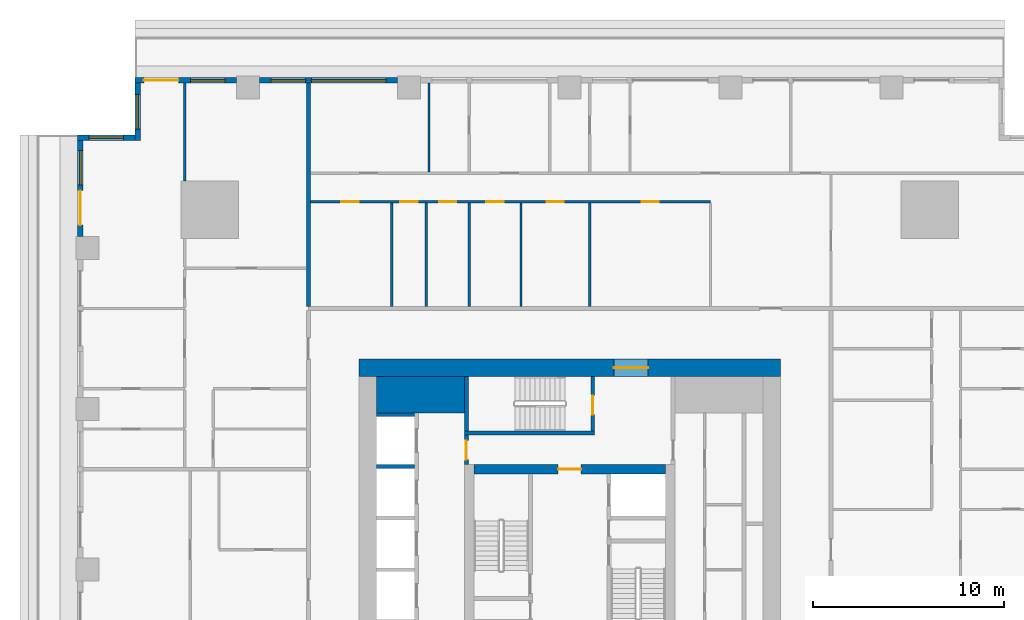
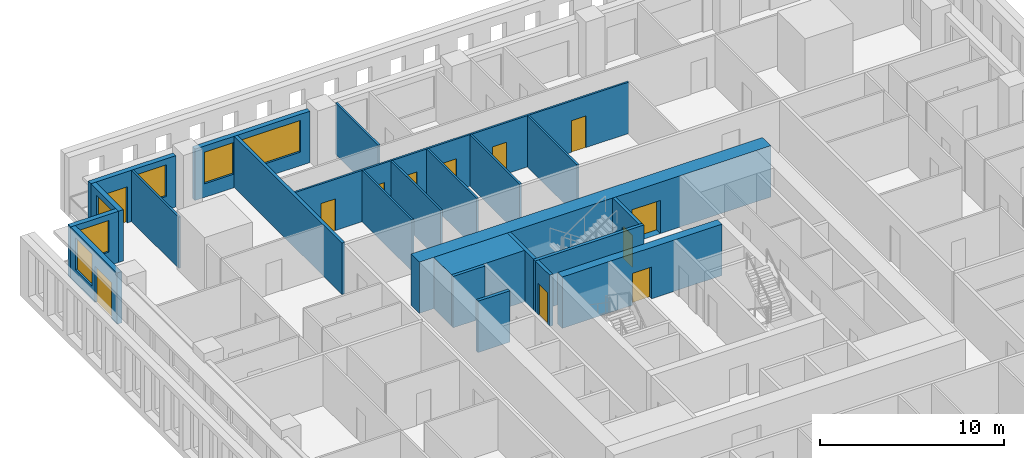
# One storey, part 7 of 14: 23 walls, 12 doors, 6 windows, 18 openings.
"""IFC4 building model written with IfcOpenShell, lengths in metres."""

from ifc_helpers import new_model, si_unit, direction, frame, frame_2d, origin, place, context, subcontext, project, spatial, rectangle, extrude, material, layer, layer_set, type_object, element, fill, save


model = new_model("IFC4")

# Units and contexts
model_context = context("Model", 3, precision=1e-05, world=origin(), true_north=direction((0.0, 1.0)))
body_context = subcontext(model_context, "Body", "Model", "MODEL_VIEW")
ifc_project = project(units=[si_unit("LENGTHUNIT", "METRE"), si_unit("AREAUNIT", "SQUARE_METRE"), si_unit("VOLUMEUNIT", "CUBIC_METRE"), si_unit("PLANEANGLEUNIT", "RADIAN"), si_unit("MASSUNIT", "GRAM", prefix="KILO")], contexts=[model_context])

# Site, building, storey
site_placement = place(None, origin())
site = spatial("IfcSite", under=ifc_project, at=site_placement, CompositionType="ELEMENT")
building_placement = place(site_placement, origin())
building = spatial("IfcBuilding", under=site, at=building_placement, Name="Khepri Terraces", CompositionType="ELEMENT")
storey_placement = place(building_placement, frame((0.0, 0.0, 69.89990234375)))
storey = spatial("IfcBuildingStorey", under=building, at=storey_placement, Name="L16", CompositionType="ELEMENT", Elevation=69.89990234375)

# Walls
ifc_material_1 = material(Name="Concrete C80/95", Category="concrete")
ifc_layer_1 = layer(ifc_material_1, 1.89990234375, Name="Concrete C80/95", Category="concrete")
ifc_layer_set_1 = layer_set([ifc_layer_1], Name="Concrete C80/95")
wall_type_1 = type_object("IfcWallType", Name="Core wall 1900 C80/95", PredefinedType="SHEAR", material=ifc_layer_set_1)
wall_1_placement = place(storey_placement, frame((-10.10009765625, 9.14990234375, 0.0), z_axis=(0.0, 0.0, 1.0), x_axis=(1.0, 0.0, 0.0)))
element("IfcWall", 1, at=wall_1_placement, inside=storey, type_object=wall_type_1, Name="Core wall PR03 L16", PredefinedType="SHEAR", context=body_context, shape_type="SweptSolid", body=[
    extrude(rectangle(XDim=4.60009765625, YDim=1.89990234375, at=frame_2d((2.300048828125, 0.0))), origin(), (0.0, 0.0, 1.0), 3.400146484375),
])
ifc_layer_2 = layer(ifc_material_1, 0.199951171875, Name="Concrete C80/95", Category="concrete")
ifc_layer_set_2 = layer_set([ifc_layer_2], Name="Concrete C80/95")
wall_type_2 = type_object("IfcWallType", Name="Core wall 200 C80/95", PredefinedType="SHEAR", material=ifc_layer_set_2)
wall_2_placement = place(storey_placement, frame((-5.5, 7.14990234375, 0.0), z_axis=(0.0, 0.0, 1.0), x_axis=(1.0, 0.0, 0.0)))
element("IfcWall", 2, at=wall_2_placement, inside=storey, type_object=wall_type_2, Name="Core wall ST05 L16", PredefinedType="SHEAR", context=body_context, shape_type="SweptSolid", body=[
    extrude(rectangle(XDim=6.800048828125, YDim=0.199951171875, at=frame_2d((3.39990234375, 0.0))), origin(), (0.0, 0.0, 1.0), 3.400146484375),
])
wall_3_placement = place(storey_placement, frame((-5.39990234375, 7.25, 0.0), z_axis=(0.0, 0.0, 1.0), x_axis=(0.0, 1.0, 0.0)))
element("IfcWall", 3, at=wall_3_placement, inside=storey, type_object=wall_type_2, Name="Core wall ST06 L16", PredefinedType="SHEAR", context=body_context, shape_type="SweptSolid", body=[
    extrude(rectangle(XDim=2.85009765625, YDim=0.199951171875, at=frame_2d((1.425048828125, 0.0))), origin(), (0.0, 0.0, 1.0), 3.400146484375),
])

# Wall, opening, door
wall_4_placement = place(storey_placement, frame((1.199951171875, 7.25, 0.0), z_axis=(0.0, 0.0, 1.0), x_axis=(0.0, 1.0, 0.0)))
wall_4 = element("IfcWall", 4, at=wall_4_placement, inside=storey, type_object=wall_type_2, Name="Core wall ST07 L16", PredefinedType="SHEAR", context=body_context, shape_type="SweptSolid", body=[
    extrude(rectangle(XDim=2.85009765625, YDim=0.199951171875, at=frame_2d((1.425048828125, 0.0))), origin(), (0.0, 0.0, 1.0), 3.400146484375),
])
opening_1_placement = place(wall_4_placement, frame((0.85009765625, 0.0, 0.0)))
opening_1 = element("IfcOpeningElement", 5, at=opening_1_placement, cuts=wall_4, Name="Opening L16-C15", PredefinedType="OPENING", context=body_context, shape_type="SweptSolid", body=[
    extrude(rectangle(XDim=1.0, YDim=2.10009765625, at=frame_2d((0.5, 1.050048828125))), frame((0.0, 0.10986328125, 0.0), z_axis=(0.0, -1.0, 0.0), x_axis=(1.0, 0.0, 0.0)), (0.0, 0.0, 1.0), 0.219970703125),
])
ifc_material_2 = material(Name="Painted steel", Category="steel")
door_type_1 = type_object("IfcDoorType", Name="DR-CORE-STAIR-1000", OperationType="NOTDEFINED", PredefinedType="DOOR", material=ifc_material_2)
door_1_placement = place(opening_1_placement, origin())
door_1 = element("IfcDoor", 6, at=door_1_placement, inside=storey, type_object=door_type_1, Name="Stair door L16-C15", OperationType="SINGLE_SWING_LEFT", OverallHeight=2.10009765625, OverallWidth=1.0, PredefinedType="DOOR", context=body_context, shape_type="SweptSolid", body=[
    extrude(rectangle(XDim=1.0, YDim=2.10009765625, at=frame_2d((0.5, 1.050048828125))), frame((0.0, 0.02490234375, 0.0), z_axis=(0.0, -1.0, 0.0), x_axis=(1.0, 0.0, 0.0)), (0.0, 0.0, 1.0), 0.050048828125),
])
fill(opening_1, door_1)

# Walls
for number, where, z_axis, x_axis, name in (
    (7, (-10.10009765625, 5.39990234375, 0.0), (0.0, 0.0, 1.0), (1.0, 0.0, 0.0), "Core wall SH19 L16"),
    (8, (-10.10009765625, 8.10009765625, 0.0), (0.0, 0.0, 1.0), (1.0, 0.0, 0.0), "Core wall SH20 L16"),
):
    element("IfcWall", number, at=place(storey_placement, frame(where, z_axis=z_axis, x_axis=x_axis)), inside=storey, type_object=wall_type_2, Name=name, PredefinedType="SHEAR", context=body_context, shape_type="SweptSolid", body=[
        extrude(rectangle(XDim=2.0, YDim=0.199951171875, at=frame_2d((1.0, 0.0))), origin(), (0.0, 0.0, 1.0), 3.400146484375),
    ])

# Wall, opening, door
ifc_layer_3 = layer(ifc_material_1, 0.5, Name="Concrete C80/95", Category="concrete")
ifc_layer_set_3 = layer_set([ifc_layer_3], Name="Concrete C80/95")
wall_type_3 = type_object("IfcWallType", Name="Core wall 500 C80/95", PredefinedType="SHEAR", material=ifc_layer_set_3)
wall_5_placement = place(storey_placement, frame((-5.0, 5.25, 0.0), z_axis=(0.0, 0.0, 1.0), x_axis=(1.0, 0.0, 0.0)))
wall_5 = element("IfcWall", 9, at=wall_5_placement, inside=storey, type_object=wall_type_3, Name="Core wall BX04 L16", PredefinedType="SHEAR", context=body_context, shape_type="SweptSolid", body=[
    extrude(rectangle(XDim=10.0, YDim=0.5, at=frame_2d((5.0, 0.0))), origin(), (0.0, 0.0, 1.0), 3.400146484375),
])
opening_2_placement = place(wall_5_placement, frame((4.39990234375, 0.0, 0.0)))
opening_2 = element("IfcOpeningElement", 10, at=opening_2_placement, cuts=wall_5, Name="Opening L16-C13", PredefinedType="OPENING", context=body_context, shape_type="SweptSolid", body=[
    extrude(rectangle(XDim=1.199951171875, YDim=2.10009765625, at=frame_2d((0.60009765625, 1.050048828125))), frame((0.0, 0.260009765625, 0.0), z_axis=(0.0, -1.0, 0.0), x_axis=(1.0, 0.0, 0.0)), (0.0, 0.0, 1.0), 0.52001953125),
])
door_type_2 = type_object("IfcDoorType", Name="DR-CORE-FF-LOBBY-1200", OperationType="NOTDEFINED", PredefinedType="DOOR", material=ifc_material_2)
door_2_placement = place(opening_2_placement, frame((1.199951171875, 0.0, 0.0), z_axis=(0.0, 0.0, 1.0), x_axis=(-1.0, 0.0, 0.0)))
door_2 = element("IfcDoor", 11, at=door_2_placement, inside=storey, type_object=door_type_2, Name="Firefighting lobby door L16-C13", OperationType="SINGLE_SWING_LEFT", OverallHeight=2.10009765625, OverallWidth=1.199951171875, PredefinedType="DOOR", context=body_context, shape_type="SweptSolid", body=[
    extrude(rectangle(XDim=1.199951171875, YDim=2.10009765625, at=frame_2d((0.60009765625, 1.050048828125))), frame((0.0, 0.02490234375, 0.0), z_axis=(0.0, -1.0, 0.0), x_axis=(1.0, 0.0, 0.0)), (0.0, 0.0, 1.0), 0.050048828125),
])
fill(opening_2, door_2)

ifc_layer_4 = layer(ifc_material_1, 0.89990234375, Name="Concrete C80/95", Category="concrete")
ifc_layer_set_4 = layer_set([ifc_layer_4], Name="Concrete C80/95")
wall_type_4 = type_object("IfcWallType", Name="Core wall 900 C80/95", PredefinedType="SHEAR", material=ifc_layer_set_4)
wall_6_placement = place(storey_placement, frame((-11.0, 10.550048828125, 0.0), z_axis=(0.0, 0.0, 1.0), x_axis=(1.0, 0.0, 0.0)))
wall_6 = element("IfcWall", 12, at=wall_6_placement, inside=storey, type_object=wall_type_4, Name="Core wall OW-N L16", PredefinedType="SHEAR", context=body_context, shape_type="SweptSolid", body=[
    extrude(rectangle(XDim=22.0, YDim=0.89990234375, at=frame_2d((11.0, 0.0))), origin(), (0.0, 0.0, 1.0), 3.400146484375),
])
opening_3_placement = place(wall_6_placement, frame((13.300048828125, 0.0, 0.0)))
opening_3 = element("IfcOpeningElement", 13, at=opening_3_placement, cuts=wall_6, Name="Opening L16-C20", PredefinedType="OPENING", context=body_context, shape_type="SweptSolid", body=[
    extrude(rectangle(XDim=1.800048828125, YDim=2.199951171875, at=frame_2d((0.89990234375, 1.10009765625))), frame((0.0, 0.4599609375, 0.0), z_axis=(0.0, -1.0, 0.0), x_axis=(1.0, 0.0, 0.0)), (0.0, 0.0, 1.0), 0.919921875),
])
door_type_3 = type_object("IfcDoorType", Name="DR-CORE-ENTRANCE-1800", OperationType="NOTDEFINED", PredefinedType="DOOR", material=ifc_material_2)
door_3_placement = place(opening_3_placement, origin())
door_3 = element("IfcDoor", 14, at=door_3_placement, inside=storey, type_object=door_type_3, Name="Core entrance door pair L16-C20", OperationType="DOUBLE_DOOR_SINGLE_SWING", OverallHeight=2.199951171875, OverallWidth=1.800048828125, PredefinedType="DOOR", context=body_context, shape_type="SweptSolid", body=[
    extrude(rectangle(XDim=1.800048828125, YDim=2.199951171875, at=frame_2d((0.89990234375, 1.10009765625))), frame((0.0, 0.02490234375, 0.0), z_axis=(0.0, -1.0, 0.0), x_axis=(1.0, 0.0, 0.0)), (0.0, 0.0, 1.0), 0.050048828125),
])
fill(opening_3, door_3)

ifc_material_3 = material(Name="Fire-rated gypsum board partition")
ifc_layer_5 = layer(ifc_material_3, 0.199951171875, Name="Fire-rated gypsum board partition")
ifc_layer_set_5 = layer_set([ifc_layer_5], Name="Fire-rated gypsum board partition")
wall_type_5 = type_object("IfcWallType", Name="WL-CORE-PART-200", PredefinedType="PARTITIONING", material=ifc_layer_set_5)
wall_7_placement = place(storey_placement, frame((-5.39990234375, 5.5, 0.0), z_axis=(0.0, 0.0, 1.0), x_axis=(0.0, 1.0, 0.0)))
wall_7 = element("IfcWall", 15, at=wall_7_placement, inside=storey, type_object=wall_type_5, Name="Core partition PT07 L16", PredefinedType="PARTITIONING", context=body_context, shape_type="SweptSolid", body=[
    extrude(rectangle(XDim=1.550048828125, YDim=0.199951171875, at=frame_2d((0.77490234375, 0.0))), origin(), (0.0, 0.0, 1.0), 3.400146484375),
])
opening_4_placement = place(wall_7_placement, frame((0.25, 0.0, 0.0)))
opening_4 = element("IfcOpeningElement", 16, at=opening_4_placement, cuts=wall_7, Name="Opening L16-C16", PredefinedType="OPENING", context=body_context, shape_type="SweptSolid", body=[
    extrude(rectangle(XDim=1.0, YDim=2.10009765625, at=frame_2d((0.5, 1.050048828125))), frame((0.0, 0.10986328125, 0.0), z_axis=(0.0, -1.0, 0.0), x_axis=(1.0, 0.0, 0.0)), (0.0, 0.0, 1.0), 0.219970703125),
])
door_type_4 = type_object("IfcDoorType", Name="DR-CORE-LOBBY-1000", OperationType="NOTDEFINED", PredefinedType="DOOR", material=ifc_material_2)
door_4_placement = place(opening_4_placement, frame((1.0, 0.0, 0.0), z_axis=(0.0, 0.0, 1.0), x_axis=(-1.0, 0.0, 0.0)))
door_4 = element("IfcDoor", 17, at=door_4_placement, inside=storey, type_object=door_type_4, Name="Lobby door L16-C16", OperationType="SINGLE_SWING_RIGHT", OverallHeight=2.10009765625, OverallWidth=1.0, PredefinedType="DOOR", context=body_context, shape_type="SweptSolid", body=[
    extrude(rectangle(XDim=1.0, YDim=2.10009765625, at=frame_2d((0.5, 1.050048828125))), frame((0.0, 0.02490234375, 0.0), z_axis=(0.0, -1.0, 0.0), x_axis=(1.0, 0.0, 0.0)), (0.0, 0.0, 1.0), 0.050048828125),
])
fill(opening_4, door_4)

# Wall
ifc_material_4 = material(Name="Fire-rated gypsum plasterboard partition, mineral wool")
ifc_layer_6 = layer(ifc_material_4, 0.199951171875, Name="Fire-rated gypsum plasterboard partition, mineral wool")
ifc_layer_set_6 = layer_set([ifc_layer_6], Name="Fire-rated gypsum plasterboard partition, mineral wool")
wall_type_6 = type_object("IfcWallType", Name="WL-CORR-200", PredefinedType="PARTITIONING", material=ifc_layer_set_6)
wall_8_placement = place(storey_placement, frame((-13.64990234375, 13.75, 0.0), z_axis=(0.0, 0.0, 1.0), x_axis=(0.0, 1.0, 0.0)))
element("IfcWall", 18, at=wall_8_placement, inside=storey, type_object=wall_type_6, Name="Partition P-081 L16", PredefinedType="PARTITIONING", context=body_context, shape_type="SweptSolid", body=[
    extrude(rectangle(XDim=11.669921875, YDim=0.199951171875, at=frame_2d((5.8349609375, 0.0))), origin(), (0.0, 0.0, 1.0), 3.400146484375),
])

# Wall, openings, windows
ifc_material_5 = material(Name="Precast concrete C50/60 warm stone", Category="masonry")
ifc_layer_7 = layer(ifc_material_5, 0.300048828125, Name="Precast concrete C50/60 warm stone", Category="masonry")
ifc_layer_set_7 = layer_set([ifc_layer_7], Name="Precast concrete C50/60 warm stone")
wall_type_7 = type_object("IfcWallType", Name="WL-EXT-PRECAST-300", PredefinedType="STANDARD", material=ifc_layer_set_7)
wall_9_placement = place(storey_placement, frame((-9.0, 25.570068359375, 0.0), z_axis=(0.0, 0.0, 1.0), x_axis=(-1.0, 0.0, 0.0)))
wall_9 = element("IfcWall", 19, at=wall_9_placement, inside=storey, type_object=wall_type_7, Name="External wall L16 N", PredefinedType="STANDARD", context=body_context, shape_type="SweptSolid", body=[
    extrude(rectangle(XDim=7.199951171875, YDim=0.300048828125, at=frame_2d((3.60009765625, 0.0))), origin(), (0.0, 0.0, 1.0), 3.400146484375),
])
opening_5_placement = place(wall_9_placement, frame((0.60009765625, 0.0, 0.89990234375)))
opening_5 = element("IfcOpeningElement", 20, at=opening_5_placement, cuts=wall_9, Name="Opening W2", PredefinedType="OPENING", context=body_context, shape_type="SweptSolid", body=[
    extrude(rectangle(XDim=3.89990234375, YDim=2.10009765625, at=frame_2d((1.949951171875, 1.050048828125))), frame((0.0, 0.16015625, 0.0), z_axis=(0.0, -1.0, 0.0), x_axis=(1.0, 0.0, 0.0)), (0.0, 0.0, 1.0), 0.320068359375),
])
opening_6_placement = place(wall_9_placement, frame((4.800048828125, 0.0, 0.89990234375)))
opening_6 = element("IfcOpeningElement", 21, at=opening_6_placement, cuts=wall_9, Name="Opening W1", PredefinedType="OPENING", context=body_context, shape_type="SweptSolid", body=[
    extrude(rectangle(XDim=1.800048828125, YDim=2.10009765625, at=frame_2d((0.89990234375, 1.050048828125))), frame((0.0, 0.16015625, 0.0), z_axis=(0.0, -1.0, 0.0), x_axis=(1.0, 0.0, 0.0)), (0.0, 0.0, 1.0), 0.320068359375),
])
ifc_material_6 = material(Name="Clear glass", Category="glass")
window_type_1 = type_object("IfcWindowType", Name="WIN-RES-1800x2100", PartitioningType="SINGLE_PANEL", PredefinedType="WINDOW", material=ifc_material_6)
window_1_placement = place(opening_6_placement, origin())
window_1 = element("IfcWindow", 22, at=window_1_placement, inside=storey, type_object=window_type_1, Name="Window L16 N", OverallHeight=2.10009765625, OverallWidth=1.800048828125, PartitioningType="SINGLE_PANEL", PredefinedType="WINDOW", context=body_context, shape_type="SweptSolid", body=[
    extrude(rectangle(XDim=1.800048828125, YDim=2.10009765625, at=frame_2d((0.89990234375, 1.050048828125))), frame((0.0, 0.030029296875, 0.0), z_axis=(0.0, -1.0, 0.0), x_axis=(1.0, 0.0, 0.0)), (0.0, 0.0, 1.0), 0.06005859375),
])
fill(opening_6, window_1)
window_type_2 = type_object("IfcWindowType", Name="WIN-RES-3900x2100", PartitioningType="SINGLE_PANEL", PredefinedType="WINDOW", material=ifc_material_6)
window_2_placement = place(opening_5_placement, origin())
window_2 = element("IfcWindow", 23, at=window_2_placement, inside=storey, type_object=window_type_2, Name="Window L16 N", OverallHeight=2.10009765625, OverallWidth=3.89990234375, PartitioningType="SINGLE_PANEL", PredefinedType="WINDOW", context=body_context, shape_type="SweptSolid", body=[
    extrude(rectangle(XDim=3.89990234375, YDim=2.10009765625, at=frame_2d((1.949951171875, 1.050048828125))), frame((0.0, 0.030029296875, 0.0), z_axis=(0.0, -1.0, 0.0), x_axis=(1.0, 0.0, 0.0)), (0.0, 0.0, 1.0), 0.06005859375),
])
fill(opening_5, window_2)

# Wall, openings, door, window
wall_10_placement = place(storey_placement, frame((-17.39990234375, 25.570068359375, 0.0), z_axis=(0.0, 0.0, 1.0), x_axis=(-1.0, 0.0, 0.0)))
wall_10 = element("IfcWall", 24, at=wall_10_placement, inside=storey, type_object=wall_type_7, Name="External wall L16 N", PredefinedType="STANDARD", context=body_context, shape_type="SweptSolid", body=[
    extrude(rectangle(XDim=5.320068359375, YDim=0.300048828125, at=frame_2d((2.66015625, 0.0))), origin(), (0.0, 0.0, 1.0), 3.400146484375),
])
opening_7_placement = place(wall_10_placement, frame((0.60009765625, 0.0, 0.89990234375)))
opening_7 = element("IfcOpeningElement", 25, at=opening_7_placement, cuts=wall_10, Name="Opening W1", PredefinedType="OPENING", context=body_context, shape_type="SweptSolid", body=[
    extrude(rectangle(XDim=1.800048828125, YDim=2.10009765625, at=frame_2d((0.89990234375, 1.050048828125))), frame((0.0, 0.16015625, 0.0), z_axis=(0.0, -1.0, 0.0), x_axis=(1.0, 0.0, 0.0)), (0.0, 0.0, 1.0), 0.320068359375),
])
opening_8_placement = place(wall_10_placement, frame((3.044921875, 0.0, 0.0)))
opening_8 = element("IfcOpeningElement", 26, at=opening_8_placement, cuts=wall_10, Name="Opening ED-L16-11", PredefinedType="OPENING", context=body_context, shape_type="SweptSolid", body=[
    extrude(rectangle(XDim=1.800048828125, YDim=2.39990234375, at=frame_2d((0.89990234375, 1.199951171875))), frame((0.0, 0.16015625, 0.0), z_axis=(0.0, -1.0, 0.0), x_axis=(1.0, 0.0, 0.0)), (0.0, 0.0, 1.0), 0.320068359375),
])
ifc_material_7 = material(Name="Anodised aluminium bronze glazed door", Category="aluminium")
door_type_5 = type_object("IfcDoorType", Name="DR-BAL-SLIDE-1800x2400", OperationType="NOTDEFINED", PredefinedType="DOOR", material=ifc_material_7)
door_5_placement = place(opening_8_placement, origin())
door_5 = element("IfcDoor", 27, at=door_5_placement, inside=storey, type_object=door_type_5, Name="Balcony door L16 N", OperationType="SLIDING_TO_RIGHT", OverallHeight=2.39990234375, OverallWidth=1.800048828125, PredefinedType="DOOR", context=body_context, shape_type="SweptSolid", body=[
    extrude(rectangle(XDim=1.800048828125, YDim=2.39990234375, at=frame_2d((0.89990234375, 1.199951171875))), frame((0.0, 0.02490234375, 0.0), z_axis=(0.0, -1.0, 0.0), x_axis=(1.0, 0.0, 0.0)), (0.0, 0.0, 1.0), 0.050048828125),
])
fill(opening_8, door_5)
window_3_placement = place(opening_7_placement, origin())
window_3 = element("IfcWindow", 28, at=window_3_placement, inside=storey, type_object=window_type_1, Name="Window L16 N", OverallHeight=2.10009765625, OverallWidth=1.800048828125, PartitioningType="SINGLE_PANEL", PredefinedType="WINDOW", context=body_context, shape_type="SweptSolid", body=[
    extrude(rectangle(XDim=1.800048828125, YDim=2.10009765625, at=frame_2d((0.89990234375, 1.050048828125))), frame((0.0, 0.030029296875, 0.0), z_axis=(0.0, -1.0, 0.0), x_axis=(1.0, 0.0, 0.0)), (0.0, 0.0, 1.0), 0.06005859375),
])
fill(opening_7, window_3)

# Wall, opening, window
wall_11_placement = place(storey_placement, frame((-22.570068359375, 25.419921875, 0.0), z_axis=(0.0, 0.0, 1.0), x_axis=(0.0, -1.0, 0.0)))
wall_11 = element("IfcWall", 29, at=wall_11_placement, inside=storey, type_object=wall_type_7, Name="External wall L16 W", PredefinedType="STANDARD", context=body_context, shape_type="SweptSolid", body=[
    extrude(rectangle(XDim=3.0, YDim=0.300048828125, at=frame_2d((1.5, 0.0))), origin(), (0.0, 0.0, 1.0), 3.400146484375),
])
opening_9_placement = place(wall_11_placement, frame((0.60009765625, 0.0, 0.89990234375)))
opening_9 = element("IfcOpeningElement", 30, at=opening_9_placement, cuts=wall_11, Name="Opening W1", PredefinedType="OPENING", context=body_context, shape_type="SweptSolid", body=[
    extrude(rectangle(XDim=1.800048828125, YDim=2.10009765625, at=frame_2d((0.89990234375, 1.050048828125))), frame((0.0, 0.16015625, 0.0), z_axis=(0.0, -1.0, 0.0), x_axis=(1.0, 0.0, 0.0)), (0.0, 0.0, 1.0), 0.320068359375),
])
window_4_placement = place(opening_9_placement, origin())
window_4 = element("IfcWindow", 31, at=window_4_placement, inside=storey, type_object=window_type_1, Name="Window L16 W", OverallHeight=2.10009765625, OverallWidth=1.800048828125, PartitioningType="SINGLE_PANEL", PredefinedType="WINDOW", context=body_context, shape_type="SweptSolid", body=[
    extrude(rectangle(XDim=1.800048828125, YDim=2.10009765625, at=frame_2d((0.89990234375, 1.050048828125))), frame((0.0, 0.030029296875, 0.0), z_axis=(0.0, -1.0, 0.0), x_axis=(1.0, 0.0, 0.0)), (0.0, 0.0, 1.0), 0.06005859375),
])
fill(opening_9, window_4)

wall_12_placement = place(storey_placement, frame((-22.719970703125, 22.570068359375, 0.0), z_axis=(0.0, 0.0, 1.0), x_axis=(-1.0, 0.0, 0.0)))
wall_12 = element("IfcWall", 32, at=wall_12_placement, inside=storey, type_object=wall_type_7, Name="External wall L16 N", PredefinedType="STANDARD", context=body_context, shape_type="SweptSolid", body=[
    extrude(rectangle(XDim=3.0, YDim=0.300048828125, at=frame_2d((1.5, 0.0))), origin(), (0.0, 0.0, 1.0), 3.400146484375),
])
opening_10_placement = place(wall_12_placement, frame((0.60009765625, 0.0, 0.89990234375)))
opening_10 = element("IfcOpeningElement", 33, at=opening_10_placement, cuts=wall_12, Name="Opening W1", PredefinedType="OPENING", context=body_context, shape_type="SweptSolid", body=[
    extrude(rectangle(XDim=1.800048828125, YDim=2.10009765625, at=frame_2d((0.89990234375, 1.050048828125))), frame((0.0, 0.16015625, 0.0), z_axis=(0.0, -1.0, 0.0), x_axis=(1.0, 0.0, 0.0)), (0.0, 0.0, 1.0), 0.320068359375),
])
window_5_placement = place(opening_10_placement, origin())
window_5 = element("IfcWindow", 34, at=window_5_placement, inside=storey, type_object=window_type_1, Name="Window L16 N", OverallHeight=2.10009765625, OverallWidth=1.800048828125, PartitioningType="SINGLE_PANEL", PredefinedType="WINDOW", context=body_context, shape_type="SweptSolid", body=[
    extrude(rectangle(XDim=1.800048828125, YDim=2.10009765625, at=frame_2d((0.89990234375, 1.050048828125))), frame((0.0, 0.030029296875, 0.0), z_axis=(0.0, -1.0, 0.0), x_axis=(1.0, 0.0, 0.0)), (0.0, 0.0, 1.0), 0.06005859375),
])
fill(opening_10, window_5)

# Wall, openings, door, window
wall_13_placement = place(storey_placement, frame((-25.570068359375, 22.419921875, 0.0), z_axis=(0.0, 0.0, 1.0), x_axis=(0.0, -1.0, 0.0)))
wall_13 = element("IfcWall", 35, at=wall_13_placement, inside=storey, type_object=wall_type_7, Name="External wall L16 W", PredefinedType="STANDARD", context=body_context, shape_type="SweptSolid", body=[
    extrude(rectangle(XDim=5.02001953125, YDim=0.300048828125, at=frame_2d((2.510009765625, 0.0))), origin(), (0.0, 0.0, 1.0), 3.400146484375),
])
opening_11_placement = place(wall_13_placement, frame((0.52001953125, 0.0, 0.89990234375)))
opening_11 = element("IfcOpeningElement", 36, at=opening_11_placement, cuts=wall_13, Name="Opening W1", PredefinedType="OPENING", context=body_context, shape_type="SweptSolid", body=[
    extrude(rectangle(XDim=1.800048828125, YDim=2.10009765625, at=frame_2d((0.89990234375, 1.050048828125))), frame((0.0, 0.16015625, 0.0), z_axis=(0.0, -1.0, 0.0), x_axis=(1.0, 0.0, 0.0)), (0.0, 0.0, 1.0), 0.320068359375),
])
opening_12_placement = place(wall_13_placement, frame((2.6201171875, 0.0, 0.0)))
opening_12 = element("IfcOpeningElement", 37, at=opening_12_placement, cuts=wall_13, Name="Opening ED-L16-12", PredefinedType="OPENING", context=body_context, shape_type="SweptSolid", body=[
    extrude(rectangle(XDim=1.800048828125, YDim=2.39990234375, at=frame_2d((0.89990234375, 1.199951171875))), frame((0.0, 0.16015625, 0.0), z_axis=(0.0, -1.0, 0.0), x_axis=(1.0, 0.0, 0.0)), (0.0, 0.0, 1.0), 0.320068359375),
])
door_6_placement = place(opening_12_placement, origin())
door_6 = element("IfcDoor", 38, at=door_6_placement, inside=storey, type_object=door_type_5, Name="Balcony door L16 W", OperationType="SLIDING_TO_RIGHT", OverallHeight=2.39990234375, OverallWidth=1.800048828125, PredefinedType="DOOR", context=body_context, shape_type="SweptSolid", body=[
    extrude(rectangle(XDim=1.800048828125, YDim=2.39990234375, at=frame_2d((0.89990234375, 1.199951171875))), frame((0.0, 0.02490234375, 0.0), z_axis=(0.0, -1.0, 0.0), x_axis=(1.0, 0.0, 0.0)), (0.0, 0.0, 1.0), 0.050048828125),
])
fill(opening_12, door_6)
window_6_placement = place(opening_11_placement, origin())
window_6 = element("IfcWindow", 39, at=window_6_placement, inside=storey, type_object=window_type_1, Name="Window L16 W", OverallHeight=2.10009765625, OverallWidth=1.800048828125, PartitioningType="SINGLE_PANEL", PredefinedType="WINDOW", context=body_context, shape_type="SweptSolid", body=[
    extrude(rectangle(XDim=1.800048828125, YDim=2.10009765625, at=frame_2d((0.89990234375, 1.050048828125))), frame((0.0, 0.030029296875, 0.0), z_axis=(0.0, -1.0, 0.0), x_axis=(1.0, 0.0, 0.0)), (0.0, 0.0, 1.0), 0.06005859375),
])
fill(opening_11, window_6)

# Walls
ifc_material_8 = material(Name="Gypsum plasterboard partition")
ifc_layer_8 = layer(ifc_material_8, 0.1201171875, Name="Gypsum plasterboard partition")
ifc_layer_set_8 = layer_set([ifc_layer_8], Name="Gypsum plasterboard partition")
wall_type_8 = type_object("IfcWallType", Name="WL-PART-120", PredefinedType="PARTITIONING", material=ifc_layer_set_8)
for number, where, z_axis, x_axis, name in (
    (40, (-9.300048828125, 13.75, 0.0), (0.0, 0.0, 1.0), (0.0, 1.0, 0.0), "Partition P-082 L16"),
    (41, (-7.5, 13.75, 0.0), (0.0, 0.0, 1.0), (0.0, 1.0, 0.0), "Partition P-083 L16"),
    (42, (-5.25, 13.75, 0.0), (0.0, 0.0, 1.0), (0.0, 1.0, 0.0), "Partition P-084 L16"),
    (43, (-2.550048828125, 13.75, 0.0), (0.0, 0.0, 1.0), (0.0, 1.0, 0.0), "Partition P-085 L16"),
    (44, (1.050048828125, 13.75, 0.0), (0.0, 0.0, 1.0), (0.0, 1.0, 0.0), "Partition P-086 L16"),
):
    element("IfcWall", number, at=place(storey_placement, frame(where, z_axis=z_axis, x_axis=x_axis)), inside=storey, type_object=wall_type_8, Name=name, PredefinedType="PARTITIONING", context=body_context, shape_type="SweptSolid", body=[
        extrude(rectangle(XDim=5.409912109375, YDim=0.1201171875, at=frame_2d((2.705078125, 0.0))), origin(), (0.0, 0.0, 1.0), 3.400146484375),
    ])

# Wall, openings, doors
wall_14_placement = place(storey_placement, frame((-13.550048828125, 19.219970703125, 0.0), z_axis=(0.0, 0.0, 1.0), x_axis=(1.0, 0.0, 0.0)))
wall_14 = element("IfcWall", 45, at=wall_14_placement, inside=storey, type_object=wall_type_8, Name="Partition P-091 L16", PredefinedType="PARTITIONING", context=body_context, shape_type="SweptSolid", body=[
    extrude(rectangle(XDim=20.900146484375, YDim=0.1201171875, at=frame_2d((10.4501953125, 0.0))), origin(), (0.0, 0.0, 1.0), 3.400146484375),
])
opening_13_placement = place(wall_14_placement, frame((17.300048828125, 0.0, 0.0)))
opening_13 = element("IfcOpeningElement", 46, at=opening_13_placement, cuts=wall_14, Name="Opening D3", PredefinedType="OPENING", context=body_context, shape_type="SweptSolid", body=[
    extrude(rectangle(XDim=0.89990234375, YDim=2.10009765625, at=frame_2d((0.449951171875, 1.050048828125))), frame((0.0, 0.070068359375, 0.0), z_axis=(0.0, -1.0, 0.0), x_axis=(1.0, 0.0, 0.0)), (0.0, 0.0, 1.0), 0.14013671875),
])
opening_14_placement = place(wall_14_placement, frame((12.35009765625, 0.0, 0.0)))
opening_14 = element("IfcOpeningElement", 47, at=opening_14_placement, cuts=wall_14, Name="Opening D3", PredefinedType="OPENING", context=body_context, shape_type="SweptSolid", body=[
    extrude(rectangle(XDim=0.89990234375, YDim=2.10009765625, at=frame_2d((0.449951171875, 1.050048828125))), frame((0.0, 0.070068359375, 0.0), z_axis=(0.0, -1.0, 0.0), x_axis=(1.0, 0.0, 0.0)), (0.0, 0.0, 1.0), 0.14013671875),
])
opening_15_placement = place(wall_14_placement, frame((9.199951171875, 0.0, 0.0)))
opening_15 = element("IfcOpeningElement", 48, at=opening_15_placement, cuts=wall_14, Name="Opening D3", PredefinedType="OPENING", context=body_context, shape_type="SweptSolid", body=[
    extrude(rectangle(XDim=0.89990234375, YDim=2.10009765625, at=frame_2d((0.449951171875, 1.050048828125))), frame((0.0, 0.070068359375, 0.0), z_axis=(0.0, -1.0, 0.0), x_axis=(1.0, 0.0, 0.0)), (0.0, 0.0, 1.0), 0.14013671875),
])
opening_16_placement = place(wall_14_placement, frame((6.72509765625, 0.0, 0.0)))
opening_16 = element("IfcOpeningElement", 49, at=opening_16_placement, cuts=wall_14, Name="Opening D4", PredefinedType="OPENING", context=body_context, shape_type="SweptSolid", body=[
    extrude(rectangle(XDim=0.89990234375, YDim=2.10009765625, at=frame_2d((0.449951171875, 1.050048828125))), frame((0.0, 0.070068359375, 0.0), z_axis=(0.0, -1.0, 0.0), x_axis=(1.0, 0.0, 0.0)), (0.0, 0.0, 1.0), 0.14013671875),
])
opening_17_placement = place(wall_14_placement, frame((4.699951171875, 0.0, 0.0)))
opening_17 = element("IfcOpeningElement", 50, at=opening_17_placement, cuts=wall_14, Name="Opening D4", PredefinedType="OPENING", context=body_context, shape_type="SweptSolid", body=[
    extrude(rectangle(XDim=0.89990234375, YDim=2.10009765625, at=frame_2d((0.449951171875, 1.050048828125))), frame((0.0, 0.070068359375, 0.0), z_axis=(0.0, -1.0, 0.0), x_axis=(1.0, 0.0, 0.0)), (0.0, 0.0, 1.0), 0.14013671875),
])
opening_18_placement = place(wall_14_placement, frame((1.625, 0.0, 0.0)))
opening_18 = element("IfcOpeningElement", 51, at=opening_18_placement, cuts=wall_14, Name="Opening D3", PredefinedType="OPENING", context=body_context, shape_type="SweptSolid", body=[
    extrude(rectangle(XDim=0.89990234375, YDim=2.10009765625, at=frame_2d((0.449951171875, 1.050048828125))), frame((0.0, 0.070068359375, 0.0), z_axis=(0.0, -1.0, 0.0), x_axis=(1.0, 0.0, 0.0)), (0.0, 0.0, 1.0), 0.14013671875),
])
ifc_material_9 = material(Name="Timber door leaf", Category="wood")
door_type_6 = type_object("IfcDoorType", Name="DR-INT-900", OperationType="NOTDEFINED", PredefinedType="DOOR", material=ifc_material_9)
door_7_placement = place(opening_13_placement, frame((0.89990234375, 0.0, 0.0), z_axis=(0.0, 0.0, 1.0), x_axis=(-1.0, 0.0, 0.0)))
door_7 = element("IfcDoor", 52, at=door_7_placement, inside=storey, type_object=door_type_6, Name="Door Kitchen", OperationType="SINGLE_SWING_LEFT", OverallHeight=2.10009765625, OverallWidth=0.89990234375, PredefinedType="DOOR", context=body_context, shape_type="SweptSolid", body=[
    extrude(rectangle(XDim=0.89990234375, YDim=2.10009765625, at=frame_2d((0.449951171875, 1.050048828125))), frame((0.0, 0.02490234375, 0.0), z_axis=(0.0, -1.0, 0.0), x_axis=(1.0, 0.0, 0.0)), (0.0, 0.0, 1.0), 0.050048828125),
])
fill(opening_13, door_7)
door_8_placement = place(opening_14_placement, frame((0.89990234375, 0.0, 0.0), z_axis=(0.0, 0.0, 1.0), x_axis=(-1.0, 0.0, 0.0)))
door_8 = element("IfcDoor", 53, at=door_8_placement, inside=storey, type_object=door_type_6, Name="Door Service Store", OperationType="SINGLE_SWING_LEFT", OverallHeight=2.10009765625, OverallWidth=0.89990234375, PredefinedType="DOOR", context=body_context, shape_type="SweptSolid", body=[
    extrude(rectangle(XDim=0.89990234375, YDim=2.10009765625, at=frame_2d((0.449951171875, 1.050048828125))), frame((0.0, 0.02490234375, 0.0), z_axis=(0.0, -1.0, 0.0), x_axis=(1.0, 0.0, 0.0)), (0.0, 0.0, 1.0), 0.050048828125),
])
fill(opening_14, door_8)
door_9_placement = place(opening_15_placement, frame((0.89990234375, 0.0, 0.0), z_axis=(0.0, 0.0, 1.0), x_axis=(-1.0, 0.0, 0.0)))
door_9 = element("IfcDoor", 54, at=door_9_placement, inside=storey, type_object=door_type_6, Name="Door Utility Room", OperationType="SINGLE_SWING_RIGHT", OverallHeight=2.10009765625, OverallWidth=0.89990234375, PredefinedType="DOOR", context=body_context, shape_type="SweptSolid", body=[
    extrude(rectangle(XDim=0.89990234375, YDim=2.10009765625, at=frame_2d((0.449951171875, 1.050048828125))), frame((0.0, 0.02490234375, 0.0), z_axis=(0.0, -1.0, 0.0), x_axis=(1.0, 0.0, 0.0)), (0.0, 0.0, 1.0), 0.050048828125),
])
fill(opening_15, door_9)
door_10_placement = place(opening_18_placement, frame((0.89990234375, 0.0, 0.0), z_axis=(0.0, 0.0, 1.0), x_axis=(-1.0, 0.0, 0.0)))
door_10 = element("IfcDoor", 55, at=door_10_placement, inside=storey, type_object=door_type_6, Name="Door Staff Bedroom", OperationType="SINGLE_SWING_RIGHT", OverallHeight=2.10009765625, OverallWidth=0.89990234375, PredefinedType="DOOR", context=body_context, shape_type="SweptSolid", body=[
    extrude(rectangle(XDim=0.89990234375, YDim=2.10009765625, at=frame_2d((0.449951171875, 1.050048828125))), frame((0.0, 0.02490234375, 0.0), z_axis=(0.0, -1.0, 0.0), x_axis=(1.0, 0.0, 0.0)), (0.0, 0.0, 1.0), 0.050048828125),
])
fill(opening_18, door_10)
ifc_material_10 = material(Name="Timber door leaf, moisture resistant", Category="wood")
door_type_7 = type_object("IfcDoorType", Name="DR-WET-900", OperationType="NOTDEFINED", PredefinedType="DOOR", material=ifc_material_10)
door_11_placement = place(opening_16_placement, frame((0.89990234375, 0.0, 0.0), z_axis=(0.0, 0.0, 1.0), x_axis=(-1.0, 0.0, 0.0)))
door_11 = element("IfcDoor", 56, at=door_11_placement, inside=storey, type_object=door_type_7, Name="Door Powder Room", OperationType="SINGLE_SWING_RIGHT", OverallHeight=2.10009765625, OverallWidth=0.89990234375, PredefinedType="DOOR", context=body_context, shape_type="SweptSolid", body=[
    extrude(rectangle(XDim=0.89990234375, YDim=2.10009765625, at=frame_2d((0.449951171875, 1.050048828125))), frame((0.0, 0.02490234375, 0.0), z_axis=(0.0, -1.0, 0.0), x_axis=(1.0, 0.0, 0.0)), (0.0, 0.0, 1.0), 0.050048828125),
])
fill(opening_16, door_11)
door_12_placement = place(opening_17_placement, frame((0.89990234375, 0.0, 0.0), z_axis=(0.0, 0.0, 1.0), x_axis=(-1.0, 0.0, 0.0)))
door_12 = element("IfcDoor", 57, at=door_12_placement, inside=storey, type_object=door_type_7, Name="Door Guest Bathroom", OperationType="SINGLE_SWING_RIGHT", OverallHeight=2.10009765625, OverallWidth=0.89990234375, PredefinedType="DOOR", context=body_context, shape_type="SweptSolid", body=[
    extrude(rectangle(XDim=0.89990234375, YDim=2.10009765625, at=frame_2d((0.449951171875, 1.050048828125))), frame((0.0, 0.02490234375, 0.0), z_axis=(0.0, -1.0, 0.0), x_axis=(1.0, 0.0, 0.0)), (0.0, 0.0, 1.0), 0.050048828125),
])
fill(opening_17, door_12)

# Walls
wall_15_placement = place(storey_placement, frame((-20.1201171875, 20.300048828125, 0.0), z_axis=(0.0, 0.0, 1.0), x_axis=(0.0, 1.0, 0.0)))
element("IfcWall", 58, at=wall_15_placement, inside=storey, type_object=wall_type_8, Name="Partition P-092 L16", PredefinedType="PARTITIONING", context=body_context, shape_type="SweptSolid", body=[
    extrude(rectangle(XDim=5.119873046875, YDim=0.1201171875, at=frame_2d((2.56005859375, 0.0))), origin(), (0.0, 0.0, 1.0), 3.400146484375),
])
wall_16_placement = place(storey_placement, frame((-7.35009765625, 20.780029296875, 0.0), z_axis=(0.0, 0.0, 1.0), x_axis=(0.0, 1.0, 0.0)))
element("IfcWall", 59, at=wall_16_placement, inside=storey, type_object=wall_type_8, Name="Partition P-094 L16", PredefinedType="PARTITIONING", context=body_context, shape_type="SweptSolid", body=[
    extrude(rectangle(XDim=4.639892578125, YDim=0.1201171875, at=frame_2d((2.31982421875, 0.0))), origin(), (0.0, 0.0, 1.0), 3.400146484375),
])

save(model, "model.ifc")
